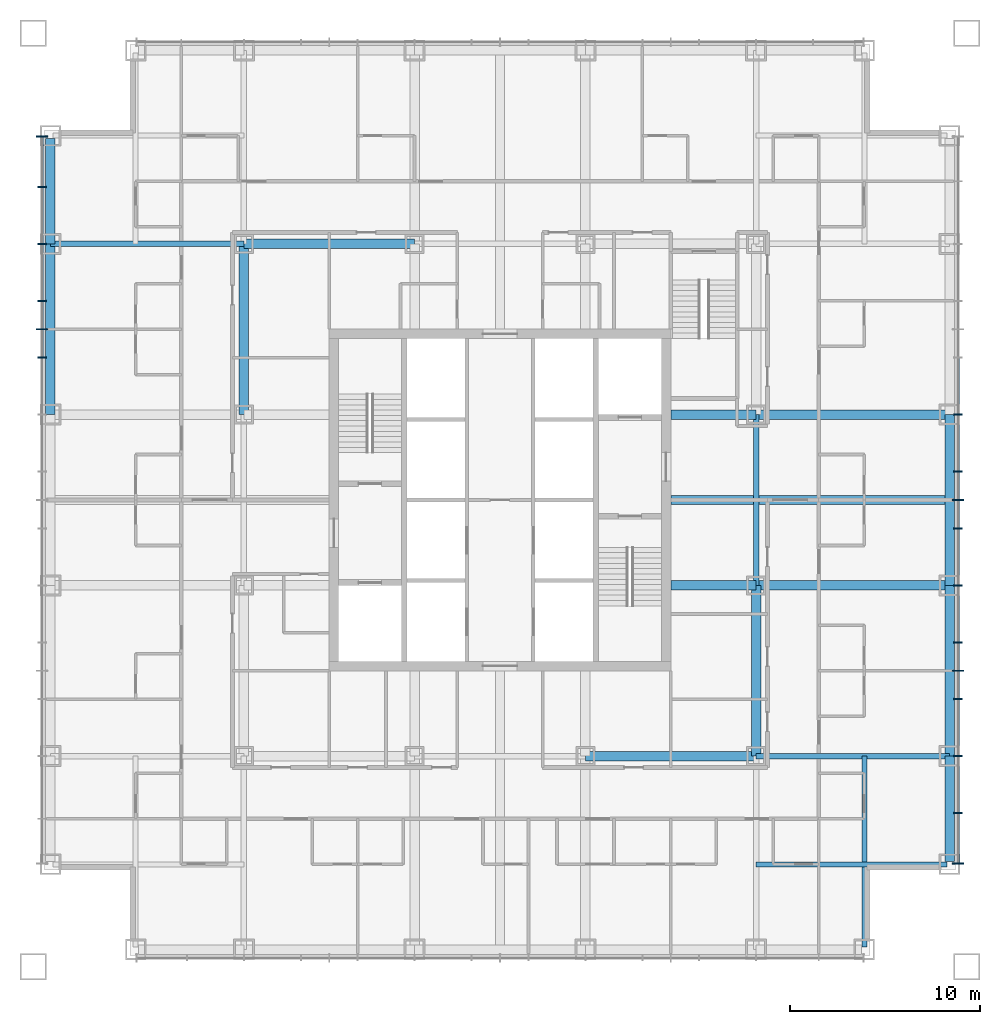
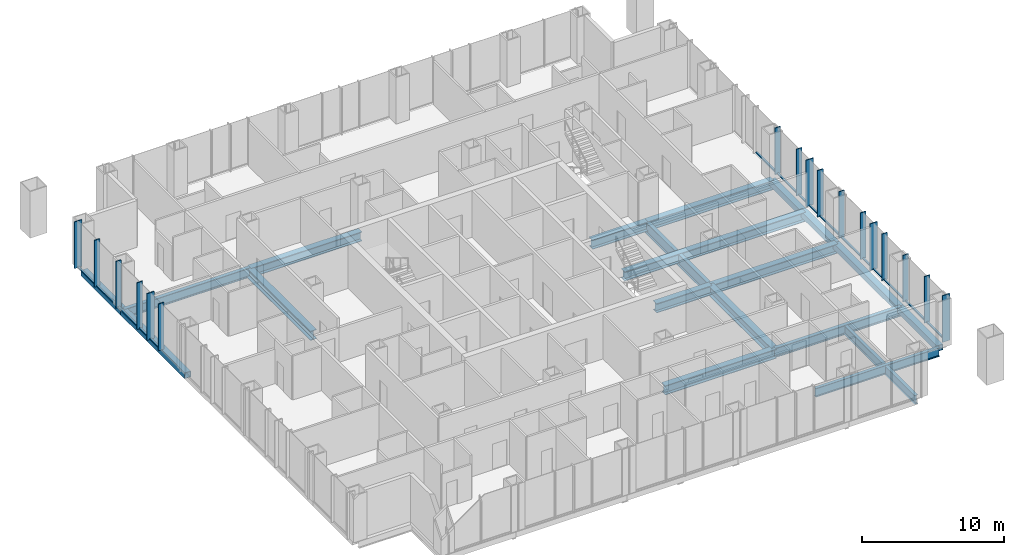
# One storey, part 4 of 12: 33 members, 19 beams, 2 elements without a shape of their own.
"""IFC4 building model written with IfcOpenShell, lengths in metres."""

from ifc_helpers import new_model, si_unit, direction, frame, origin, origin_2d, place, context, subcontext, project, spatial, rectangle, hollow_rectangle, i_section, extrude, material, layer, layer_set, material_profile, profile_set, type_object, element, aggregate, save


model = new_model("IFC4")

# Units and contexts
model_context = context("Model", 3, precision=1e-05, world=origin(), true_north=direction((0.0, 1.0)))
body_context = subcontext(model_context, "Body", "Model", "MODEL_VIEW")
ifc_project = project(units=[si_unit("LENGTHUNIT", "METRE"), si_unit("AREAUNIT", "SQUARE_METRE"), si_unit("VOLUMEUNIT", "CUBIC_METRE"), si_unit("PLANEANGLEUNIT", "RADIAN"), si_unit("MASSUNIT", "GRAM", prefix="KILO")], contexts=[model_context])

# Site, building, storey
site_placement = place(None, origin())
site = spatial("IfcSite", under=ifc_project, at=site_placement, CompositionType="ELEMENT")
building_placement = place(site_placement, origin())
building = spatial("IfcBuilding", under=site, at=building_placement, Name="Malebo Sky Hospital", CompositionType="ELEMENT")
storey_placement = place(building_placement, frame((0.0, 0.0, 136.0)))
storey = spatial("IfcBuildingStorey", under=building, at=storey_placement, Name="L32", CompositionType="ELEMENT", Elevation=136.0)

# Curtain wall, members
ifc_material_1 = material(Name="Anodised aluminium, natural silver", Category="aluminium")
ifc_layer = layer(ifc_material_1, 0.25)
ifc_layer_set = layer_set([ifc_layer], Name="WARD CURTAIN WALL EAST AND WEST")
curtain_wall_type = type_object("IfcCurtainWallType", Name="WARD CURTAIN WALL EAST AND WEST", PredefinedType="NOTDEFINED", material=ifc_layer_set)
curtain_wall_1_placement = place(storey_placement, origin())
curtain_wall_1 = element("IfcCurtainWall", 1, at=curtain_wall_1_placement, inside=storey, type_object=curtain_wall_type, Name="EW curtain wall W", PredefinedType="NOTDEFINED")
ifc_material_profile_1 = material_profile(ifc_material_1, rectangle(XDim=0.14990234375, YDim=0.10009765625, at=origin_2d()), Name="ALUMINIUM TRANSOM 150x100")
ifc_profile_set_1 = profile_set([ifc_material_profile_1], Name="Anodised aluminium, natural silver")
member_type_1 = type_object("IfcMemberType", Name="ALUMINIUM TRANSOM 150x100", PredefinedType="USERDEFINED", material=ifc_profile_set_1)
member_1_placement = place(storey_placement, frame((35.864990234375, 69.53759765625, 0.050048828125), z_axis=(0.0, 1.0, 0.0), x_axis=(-1.0, 0.0, 0.0)))
member_1 = element("IfcMember", 2, at=member_1_placement, type_object=member_type_1, Name="Transom 12", ObjectType="TRANSOM", PredefinedType="USERDEFINED", context=body_context, shape_type="SweptSolid", body=[
    extrude(rectangle(XDim=0.14990234375, YDim=0.10009765625, at=origin_2d()), origin(), (0.0, 0.0, 1.0), 1.4248046875),
])
member_2_placement = place(storey_placement, frame((35.864990234375, 71.03759765625, 0.050048828125), z_axis=(0.0, 1.0, 0.0), x_axis=(-1.0, 0.0, 0.0)))
member_2 = element("IfcMember", 3, at=member_2_placement, type_object=member_type_1, Name="Transom 13", ObjectType="TRANSOM", PredefinedType="USERDEFINED", context=body_context, shape_type="SweptSolid", body=[
    extrude(rectangle(XDim=0.14990234375, YDim=0.10009765625, at=origin_2d()), origin(), (0.0, 0.0, 1.0), 1.4248046875),
])
member_3_placement = place(storey_placement, frame((35.864990234375, 72.53759765625, 0.050048828125), z_axis=(0.0, 1.0, 0.0), x_axis=(-1.0, 0.0, 0.0)))
member_3 = element("IfcMember", 4, at=member_3_placement, type_object=member_type_1, Name="Transom 14", ObjectType="TRANSOM", PredefinedType="USERDEFINED", context=body_context, shape_type="SweptSolid", body=[
    extrude(rectangle(XDim=0.14990234375, YDim=0.10009765625, at=origin_2d()), origin(), (0.0, 0.0, 1.0), 2.9248046875),
])
member_4_placement = place(storey_placement, frame((35.864990234375, 75.53759765625, 0.050048828125), z_axis=(0.0, 1.0, 0.0), x_axis=(-1.0, 0.0, 0.0)))
member_4 = element("IfcMember", 5, at=member_4_placement, type_object=member_type_1, Name="Transom 15", ObjectType="TRANSOM", PredefinedType="USERDEFINED", context=body_context, shape_type="SweptSolid", body=[
    extrude(rectangle(XDim=0.14990234375, YDim=0.10009765625, at=origin_2d()), origin(), (0.0, 0.0, 1.0), 2.9248046875),
])
member_5_placement = place(storey_placement, frame((35.864990234375, 78.53759765625, 0.050048828125), z_axis=(0.0, 1.0, 0.0), x_axis=(-1.0, 0.0, 0.0)))
member_5 = element("IfcMember", 6, at=member_5_placement, type_object=member_type_1, Name="Transom 16", ObjectType="TRANSOM", PredefinedType="USERDEFINED", context=body_context, shape_type="SweptSolid", body=[
    extrude(rectangle(XDim=0.14990234375, YDim=0.10009765625, at=origin_2d()), origin(), (0.0, 0.0, 1.0), 2.58740234375),
])

curtain_wall_2_placement = place(storey_placement, origin())
curtain_wall_2 = element("IfcCurtainWall", 7, at=curtain_wall_2_placement, inside=storey, type_object=curtain_wall_type, Name="EW curtain wall E", PredefinedType="NOTDEFINED")
member_6_placement = place(storey_placement, frame((84.135009765625, 69.46240234375, 0.050048828125), z_axis=(0.0, -1.0, 0.0), x_axis=(1.0, 0.0, 0.0)))
member_6 = element("IfcMember", 8, at=member_6_placement, type_object=member_type_1, Name="Transom 6", ObjectType="TRANSOM", PredefinedType="USERDEFINED", context=body_context, shape_type="SweptSolid", body=[
    extrude(rectangle(XDim=0.14990234375, YDim=0.10009765625, at=origin_2d()), origin(), (0.0, 0.0, 1.0), 2.9248046875),
])
member_7_placement = place(storey_placement, frame((84.135009765625, 66.46240234375, 0.050048828125), z_axis=(0.0, -1.0, 0.0), x_axis=(1.0, 0.0, 0.0)))
member_7 = element("IfcMember", 9, at=member_7_placement, type_object=member_type_1, Name="Transom 7", ObjectType="TRANSOM", PredefinedType="USERDEFINED", context=body_context, shape_type="SweptSolid", body=[
    extrude(rectangle(XDim=0.14990234375, YDim=0.10009765625, at=origin_2d()), origin(), (0.0, 0.0, 1.0), 2.9248046875),
])
member_8_placement = place(storey_placement, frame((84.135009765625, 63.46240234375, 0.050048828125), z_axis=(0.0, -1.0, 0.0), x_axis=(1.0, 0.0, 0.0)))
member_8 = element("IfcMember", 10, at=member_8_placement, type_object=member_type_1, Name="Transom 8", ObjectType="TRANSOM", PredefinedType="USERDEFINED", context=body_context, shape_type="SweptSolid", body=[
    extrude(rectangle(XDim=0.14990234375, YDim=0.10009765625, at=origin_2d()), origin(), (0.0, 0.0, 1.0), 1.4248046875),
])
member_9_placement = place(storey_placement, frame((84.135009765625, 61.96240234375, 0.050048828125), z_axis=(0.0, -1.0, 0.0), x_axis=(1.0, 0.0, 0.0)))
member_9 = element("IfcMember", 11, at=member_9_placement, type_object=member_type_1, Name="Transom 9", ObjectType="TRANSOM", PredefinedType="USERDEFINED", context=body_context, shape_type="SweptSolid", body=[
    extrude(rectangle(XDim=0.14990234375, YDim=0.10009765625, at=origin_2d()), origin(), (0.0, 0.0, 1.0), 1.4248046875),
])
member_10_placement = place(storey_placement, frame((84.135009765625, 60.46240234375, 0.050048828125), z_axis=(0.0, -1.0, 0.0), x_axis=(1.0, 0.0, 0.0)))
member_10 = element("IfcMember", 12, at=member_10_placement, type_object=member_type_1, Name="Transom 10", ObjectType="TRANSOM", PredefinedType="USERDEFINED", context=body_context, shape_type="SweptSolid", body=[
    extrude(rectangle(XDim=0.14990234375, YDim=0.10009765625, at=origin_2d()), origin(), (0.0, 0.0, 1.0), 2.9248046875),
])
member_11_placement = place(storey_placement, frame((84.135009765625, 57.46240234375, 0.050048828125), z_axis=(0.0, -1.0, 0.0), x_axis=(1.0, 0.0, 0.0)))
member_11 = element("IfcMember", 13, at=member_11_placement, type_object=member_type_1, Name="Transom 11", ObjectType="TRANSOM", PredefinedType="USERDEFINED", context=body_context, shape_type="SweptSolid", body=[
    extrude(rectangle(XDim=0.14990234375, YDim=0.10009765625, at=origin_2d()), origin(), (0.0, 0.0, 1.0), 2.9248046875),
])
member_12_placement = place(storey_placement, frame((84.135009765625, 54.46240234375, 0.050048828125), z_axis=(0.0, -1.0, 0.0), x_axis=(1.0, 0.0, 0.0)))
member_12 = element("IfcMember", 14, at=member_12_placement, type_object=member_type_1, Name="Transom 12", ObjectType="TRANSOM", PredefinedType="USERDEFINED", context=body_context, shape_type="SweptSolid", body=[
    extrude(rectangle(XDim=0.14990234375, YDim=0.10009765625, at=origin_2d()), origin(), (0.0, 0.0, 1.0), 1.4248046875),
])
member_13_placement = place(storey_placement, frame((84.135009765625, 52.96240234375, 0.050048828125), z_axis=(0.0, -1.0, 0.0), x_axis=(1.0, 0.0, 0.0)))
member_13 = element("IfcMember", 15, at=member_13_placement, type_object=member_type_1, Name="Transom 13", ObjectType="TRANSOM", PredefinedType="USERDEFINED", context=body_context, shape_type="SweptSolid", body=[
    extrude(rectangle(XDim=0.14990234375, YDim=0.10009765625, at=origin_2d()), origin(), (0.0, 0.0, 1.0), 1.4248046875),
])
member_14_placement = place(storey_placement, frame((84.135009765625, 51.46240234375, 0.050048828125), z_axis=(0.0, -1.0, 0.0), x_axis=(1.0, 0.0, 0.0)))
member_14 = element("IfcMember", 16, at=member_14_placement, type_object=member_type_1, Name="Transom 14", ObjectType="TRANSOM", PredefinedType="USERDEFINED", context=body_context, shape_type="SweptSolid", body=[
    extrude(rectangle(XDim=0.14990234375, YDim=0.10009765625, at=origin_2d()), origin(), (0.0, 0.0, 1.0), 2.9248046875),
])
member_15_placement = place(storey_placement, frame((84.135009765625, 48.46240234375, 0.050048828125), z_axis=(0.0, -1.0, 0.0), x_axis=(1.0, 0.0, 0.0)))
member_15 = element("IfcMember", 17, at=member_15_placement, type_object=member_type_1, Name="Transom 15", ObjectType="TRANSOM", PredefinedType="USERDEFINED", context=body_context, shape_type="SweptSolid", body=[
    extrude(rectangle(XDim=0.14990234375, YDim=0.10009765625, at=origin_2d()), origin(), (0.0, 0.0, 1.0), 2.9248046875),
])
member_16_placement = place(storey_placement, frame((84.135009765625, 45.46240234375, 0.050048828125), z_axis=(0.0, -1.0, 0.0), x_axis=(1.0, 0.0, 0.0)))
member_16 = element("IfcMember", 18, at=member_16_placement, type_object=member_type_1, Name="Transom 16", ObjectType="TRANSOM", PredefinedType="USERDEFINED", context=body_context, shape_type="SweptSolid", body=[
    extrude(rectangle(XDim=0.14990234375, YDim=0.10009765625, at=origin_2d()), origin(), (0.0, 0.0, 1.0), 2.58740234375),
])

# Member
ifc_material_profile_2 = material_profile(ifc_material_1, rectangle(XDim=0.074951171875, YDim=0.449951171875, at=origin_2d()), Name="CW2 ALUMINIUM FIN MULLION 75x450")
ifc_profile_set_2 = profile_set([ifc_material_profile_2], Name="Anodised aluminium, natural silver")
member_type_2 = type_object("IfcMemberType", Name="CW2 ALUMINIUM FIN MULLION 75x450", PredefinedType="MULLION", material=ifc_profile_set_2)
member_17_placement = place(storey_placement, frame((35.864990234375, 69.5, 0.0), z_axis=(0.0, 0.0, 1.0), x_axis=(0.0, 1.0, 0.0)))
member_17 = element("IfcMember", 19, at=member_17_placement, type_object=member_type_2, Name="Fin mullion 12", PredefinedType="MULLION", context=body_context, shape_type="SweptSolid", body=[
    extrude(rectangle(XDim=0.074951171875, YDim=0.449951171875, at=origin_2d()), origin(), (0.0, 0.0, 1.0), 4.0),
])

member_18_placement = place(storey_placement, frame((35.864990234375, 72.5, 0.0), z_axis=(0.0, 0.0, 1.0), x_axis=(0.0, 1.0, 0.0)))
member_18 = element("IfcMember", 20, at=member_18_placement, type_object=member_type_2, Name="Fin mullion 14", PredefinedType="MULLION", context=body_context, shape_type="SweptSolid", body=[
    extrude(rectangle(XDim=0.074951171875, YDim=0.449951171875, at=origin_2d()), origin(), (0.0, 0.0, 1.0), 4.0),
])

member_19_placement = place(storey_placement, frame((35.864990234375, 75.5, 0.0), z_axis=(0.0, 0.0, 1.0), x_axis=(0.0, 1.0, 0.0)))
member_19 = element("IfcMember", 21, at=member_19_placement, type_object=member_type_2, Name="Fin mullion 15", PredefinedType="MULLION", context=body_context, shape_type="SweptSolid", body=[
    extrude(rectangle(XDim=0.074951171875, YDim=0.449951171875, at=origin_2d()), origin(), (0.0, 0.0, 1.0), 4.0),
])

member_20_placement = place(storey_placement, frame((35.864990234375, 78.5, 0.0), z_axis=(0.0, 0.0, 1.0), x_axis=(0.0, 1.0, 0.0)))
member_20 = element("IfcMember", 22, at=member_20_placement, type_object=member_type_2, Name="Fin mullion 16", PredefinedType="MULLION", context=body_context, shape_type="SweptSolid", body=[
    extrude(rectangle(XDim=0.074951171875, YDim=0.449951171875, at=origin_2d()), origin(), (0.0, 0.0, 1.0), 4.0),
])

member_21_placement = place(storey_placement, frame((84.135009765625, 66.5, 0.0), z_axis=(0.0, 0.0, 1.0), x_axis=(0.0, -1.0, 0.0)))
member_21 = element("IfcMember", 23, at=member_21_placement, type_object=member_type_2, Name="Fin mullion 7", PredefinedType="MULLION", context=body_context, shape_type="SweptSolid", body=[
    extrude(rectangle(XDim=0.074951171875, YDim=0.449951171875, at=origin_2d()), origin(), (0.0, 0.0, 1.0), 4.0),
])

member_22_placement = place(storey_placement, frame((84.135009765625, 63.5, 0.0), z_axis=(0.0, 0.0, 1.0), x_axis=(0.0, -1.0, 0.0)))
member_22 = element("IfcMember", 24, at=member_22_placement, type_object=member_type_2, Name="Fin mullion 8", PredefinedType="MULLION", context=body_context, shape_type="SweptSolid", body=[
    extrude(rectangle(XDim=0.074951171875, YDim=0.449951171875, at=origin_2d()), origin(), (0.0, 0.0, 1.0), 4.0),
])

member_23_placement = place(storey_placement, frame((84.135009765625, 60.5, 0.0), z_axis=(0.0, 0.0, 1.0), x_axis=(0.0, -1.0, 0.0)))
member_23 = element("IfcMember", 25, at=member_23_placement, type_object=member_type_2, Name="Fin mullion 10", PredefinedType="MULLION", context=body_context, shape_type="SweptSolid", body=[
    extrude(rectangle(XDim=0.074951171875, YDim=0.449951171875, at=origin_2d()), origin(), (0.0, 0.0, 1.0), 4.0),
])

member_24_placement = place(storey_placement, frame((84.135009765625, 57.5, 0.0), z_axis=(0.0, 0.0, 1.0), x_axis=(0.0, -1.0, 0.0)))
member_24 = element("IfcMember", 26, at=member_24_placement, type_object=member_type_2, Name="Fin mullion 11", PredefinedType="MULLION", context=body_context, shape_type="SweptSolid", body=[
    extrude(rectangle(XDim=0.074951171875, YDim=0.449951171875, at=origin_2d()), origin(), (0.0, 0.0, 1.0), 4.0),
])

member_25_placement = place(storey_placement, frame((84.135009765625, 54.5, 0.0), z_axis=(0.0, 0.0, 1.0), x_axis=(0.0, -1.0, 0.0)))
member_25 = element("IfcMember", 27, at=member_25_placement, type_object=member_type_2, Name="Fin mullion 12", PredefinedType="MULLION", context=body_context, shape_type="SweptSolid", body=[
    extrude(rectangle(XDim=0.074951171875, YDim=0.449951171875, at=origin_2d()), origin(), (0.0, 0.0, 1.0), 4.0),
])

member_26_placement = place(storey_placement, frame((84.135009765625, 51.5, 0.0), z_axis=(0.0, 0.0, 1.0), x_axis=(0.0, -1.0, 0.0)))
member_26 = element("IfcMember", 28, at=member_26_placement, type_object=member_type_2, Name="Fin mullion 14", PredefinedType="MULLION", context=body_context, shape_type="SweptSolid", body=[
    extrude(rectangle(XDim=0.074951171875, YDim=0.449951171875, at=origin_2d()), origin(), (0.0, 0.0, 1.0), 4.0),
])

member_27_placement = place(storey_placement, frame((84.135009765625, 48.5, 0.0), z_axis=(0.0, 0.0, 1.0), x_axis=(0.0, -1.0, 0.0)))
member_27 = element("IfcMember", 29, at=member_27_placement, type_object=member_type_2, Name="Fin mullion 15", PredefinedType="MULLION", context=body_context, shape_type="SweptSolid", body=[
    extrude(rectangle(XDim=0.074951171875, YDim=0.449951171875, at=origin_2d()), origin(), (0.0, 0.0, 1.0), 4.0),
])

member_28_placement = place(storey_placement, frame((84.135009765625, 45.5, 0.0), z_axis=(0.0, 0.0, 1.0), x_axis=(0.0, -1.0, 0.0)))
member_28 = element("IfcMember", 30, at=member_28_placement, type_object=member_type_2, Name="Fin mullion 16", PredefinedType="MULLION", context=body_context, shape_type="SweptSolid", body=[
    extrude(rectangle(XDim=0.074951171875, YDim=0.449951171875, at=origin_2d()), origin(), (0.0, 0.0, 1.0), 4.0),
])

ifc_material_profile_3 = material_profile(ifc_material_1, rectangle(XDim=0.074951171875, YDim=0.60009765625, at=origin_2d()), Name="CW2 ALUMINIUM FIN MULLION 75x600")
ifc_profile_set_3 = profile_set([ifc_material_profile_3], Name="Anodised aluminium, natural silver")
member_type_3 = type_object("IfcMemberType", Name="CW2 ALUMINIUM FIN MULLION 75x600", PredefinedType="MULLION", material=ifc_profile_set_3)
member_29_placement = place(storey_placement, frame((35.864990234375, 71.0, 0.0), z_axis=(0.0, 0.0, 1.0), x_axis=(0.0, 1.0, 0.0)))
member_29 = element("IfcMember", 31, at=member_29_placement, type_object=member_type_3, Name="Fin mullion 13", PredefinedType="MULLION", context=body_context, shape_type="SweptSolid", body=[
    extrude(rectangle(XDim=0.074951171875, YDim=0.60009765625, at=origin_2d()), origin(), (0.0, 0.0, 1.0), 4.0),
])

member_30_placement = place(storey_placement, frame((35.864990234375, 81.16259765625, 0.0), z_axis=(0.0, 0.0, 1.0), x_axis=(0.0, 1.0, 0.0)))
member_30 = element("IfcMember", 32, at=member_30_placement, type_object=member_type_3, Name="Fin mullion 17", PredefinedType="MULLION", context=body_context, shape_type="SweptSolid", body=[
    extrude(rectangle(XDim=0.074951171875, YDim=0.60009765625, at=origin_2d()), origin(), (0.0, 0.0, 1.0), 4.0),
])

aggregate(curtain_wall_1, [member_17, member_29, member_18, member_19, member_20, member_30, member_1, member_2, member_3, member_4, member_5])

member_31_placement = place(storey_placement, frame((84.135009765625, 62.0, 0.0), z_axis=(0.0, 0.0, 1.0), x_axis=(0.0, -1.0, 0.0)))
member_31 = element("IfcMember", 33, at=member_31_placement, type_object=member_type_3, Name="Fin mullion 9", PredefinedType="MULLION", context=body_context, shape_type="SweptSolid", body=[
    extrude(rectangle(XDim=0.074951171875, YDim=0.60009765625, at=origin_2d()), origin(), (0.0, 0.0, 1.0), 4.0),
])

member_32_placement = place(storey_placement, frame((84.135009765625, 53.0, 0.0), z_axis=(0.0, 0.0, 1.0), x_axis=(0.0, -1.0, 0.0)))
member_32 = element("IfcMember", 34, at=member_32_placement, type_object=member_type_3, Name="Fin mullion 13", PredefinedType="MULLION", context=body_context, shape_type="SweptSolid", body=[
    extrude(rectangle(XDim=0.074951171875, YDim=0.60009765625, at=origin_2d()), origin(), (0.0, 0.0, 1.0), 4.0),
])

member_33_placement = place(storey_placement, frame((84.135009765625, 42.83740234375, 0.0), z_axis=(0.0, 0.0, 1.0), x_axis=(0.0, -1.0, 0.0)))
member_33 = element("IfcMember", 35, at=member_33_placement, type_object=member_type_3, Name="Fin mullion 17", PredefinedType="MULLION", context=body_context, shape_type="SweptSolid", body=[
    extrude(rectangle(XDim=0.074951171875, YDim=0.60009765625, at=origin_2d()), origin(), (0.0, 0.0, 1.0), 4.0),
])

aggregate(curtain_wall_2, [member_21, member_22, member_31, member_23, member_24, member_25, member_32, member_26, member_27, member_28, member_33, member_6, member_7, member_8, member_9, member_10, member_11, member_12, member_13, member_14, member_15, member_16])

# Beams
ifc_material_2 = material(Name="Steel S460", Category="steel")
ifc_material_profile_4 = material_profile(ifc_material_2, hollow_rectangle(XDim=0.5, YDim=0.5, WallThickness=0.030029296875, at=origin_2d()), Name="BOX 500x500x30")
ifc_profile_set_4 = profile_set([ifc_material_profile_4], Name="Steel S460")
beam_type_1 = type_object("IfcBeamType", Name="EDGE BEAM BOX 500x500x30", PredefinedType="BEAM", material=ifc_profile_set_4)
beam_1_placement = place(storey_placement, frame((36.300048828125, 66.5, -0.5), z_axis=(0.0, 1.0, 0.0), x_axis=(-1.0, 0.0, 0.0)))
element("IfcBeam", 36, at=beam_1_placement, inside=storey, type_object=beam_type_1, Name="Beam 003 L32", PredefinedType="BEAM", context=body_context, shape_type="SweptSolid", body=[
    extrude(hollow_rectangle(XDim=0.5, YDim=0.5, WallThickness=0.030029296875, at=origin_2d()), origin(), (0.0, 0.0, 1.0), 9.0),
])
for number, where, z_axis, x_axis, name in (
    (37, (36.300048828125, 75.5, -0.5), (0.0, 1.0, 0.0), (-1.0, 0.0, 0.0), "Beam 004 L32"),
    (38, (83.699951171875, 42.949951171875, -0.5), (0.0, 1.0, 0.0), (-1.0, 0.0, 0.0), "Beam 029 L32"),
):
    element("IfcBeam", number, at=place(storey_placement, frame(where, z_axis=z_axis, x_axis=x_axis)), inside=storey, type_object=beam_type_1, Name=name, PredefinedType="BEAM", context=body_context, shape_type="SweptSolid", body=[
        extrude(hollow_rectangle(XDim=0.5, YDim=0.5, WallThickness=0.030029296875, at=origin_2d()), origin(), (0.0, 0.0, 1.0), 5.550048828125),
    ])
for number, where, z_axis, x_axis, name in (
    (39, (83.699951171875, 48.5, -0.5), (0.0, 1.0, 0.0), (-1.0, 0.0, 0.0), "Beam 030 L32"),
    (40, (83.699951171875, 57.5, -0.5), (0.0, 1.0, 0.0), (-1.0, 0.0, 0.0), "Beam 031 L32"),
):
    element("IfcBeam", number, at=place(storey_placement, frame(where, z_axis=z_axis, x_axis=x_axis)), inside=storey, type_object=beam_type_1, Name=name, PredefinedType="BEAM", context=body_context, shape_type="SweptSolid", body=[
        extrude(hollow_rectangle(XDim=0.5, YDim=0.5, WallThickness=0.030029296875, at=origin_2d()), origin(), (0.0, 0.0, 1.0), 9.0),
    ])
ifc_material_3 = material(Name="Steel S355", Category="steel")
ifc_material_profile_5 = material_profile(ifc_material_3, i_section(OverallWidth=0.262939453125, OverallDepth=0.7529296875, WebThickness=0.011474609375, FlangeThickness=0.01708984375, FilletRadius=0.01708984375, at=origin_2d()), Name="IPE 750x137")
ifc_profile_set_5 = profile_set([ifc_material_profile_5], Name="Steel S355")
beam_type_2 = type_object("IfcBeamType", Name="FLOOR BEAM IPE 750x137", PredefinedType="BEAM", material=ifc_profile_set_5)
for number, where, z_axis, x_axis, name in (
    (41, (79.199951171875, 38.449951171875, -0.62646484375), (0.0, 1.0, 0.0), (-1.0, 0.0, 0.0), "Beam 027 L32"),
    (42, (73.5, 42.800048828125, -0.62646484375), (1.0, 0.0, 0.0), (0.0, 1.0, 0.0), "Beam 040 L32"),
):
    element("IfcBeam", number, at=place(storey_placement, frame(where, z_axis=z_axis, x_axis=x_axis)), inside=storey, type_object=beam_type_2, Name=name, PredefinedType="BEAM", context=body_context, shape_type="SweptSolid", body=[
        extrude(i_section(OverallWidth=0.262939453125, OverallDepth=0.7529296875, WebThickness=0.011474609375, FlangeThickness=0.01708984375, FilletRadius=0.01708984375, at=origin_2d()), origin(), (0.0, 0.0, 1.0), 10.050048828125),
    ])
ifc_material_profile_6 = material_profile(ifc_material_3, i_section(OverallWidth=0.5, OverallDepth=0.800048828125, WebThickness=0.030029296875, FlangeThickness=0.050048828125, at=origin_2d()), Name="PG 800x500x30x50")
ifc_profile_set_6 = profile_set([ifc_material_profile_6], Name="Steel S355")
beam_type_3 = type_object("IfcBeamType", Name="FLOOR BEAM PG 800x500x30x50", PredefinedType="BEAM", material=ifc_profile_set_6)
for number, where, z_axis, x_axis, name in (
    (43, (46.5, 66.5, -0.64990234375), (0.0, 1.0, 0.0), (-1.0, 0.0, 0.0), "Beam 010 L32"),
    (44, (73.5, 48.5, -0.64990234375), (0.0, 1.0, 0.0), (-1.0, 0.0, 0.0), "Beam 023 L32"),
    (45, (64.5, 48.5, -0.64990234375), (1.0, 0.0, 0.0), (0.0, 1.0, 0.0), "Beam 044 L32"),
):
    element("IfcBeam", number, at=place(storey_placement, frame(where, z_axis=z_axis, x_axis=x_axis)), inside=storey, type_object=beam_type_3, Name=name, PredefinedType="BEAM", context=body_context, shape_type="SweptSolid", body=[
        extrude(i_section(OverallWidth=0.5, OverallDepth=0.800048828125, WebThickness=0.030029296875, FlangeThickness=0.050048828125, at=origin_2d()), origin(), (0.0, 0.0, 1.0), 9.0),
    ])
beam_2_placement = place(storey_placement, frame((69.0, 57.5, -0.64990234375), z_axis=(1.0, 0.0, 0.0), x_axis=(0.0, 1.0, 0.0)))
element("IfcBeam", 46, at=beam_2_placement, inside=storey, type_object=beam_type_3, Name="Beam 048 L32", PredefinedType="BEAM", context=body_context, shape_type="SweptSolid", body=[
    extrude(i_section(OverallWidth=0.5, OverallDepth=0.800048828125, WebThickness=0.030029296875, FlangeThickness=0.050048828125, at=origin_2d()), origin(), (0.0, 0.0, 1.0), 4.5),
])
beam_3_placement = place(storey_placement, frame((73.5, 57.5, -0.64990234375), z_axis=(1.0, 0.0, 0.0), x_axis=(0.0, 1.0, 0.0)))
element("IfcBeam", 47, at=beam_3_placement, inside=storey, type_object=beam_type_3, Name="Beam 049 L32", PredefinedType="BEAM", context=body_context, shape_type="SweptSolid", body=[
    extrude(i_section(OverallWidth=0.5, OverallDepth=0.800048828125, WebThickness=0.030029296875, FlangeThickness=0.050048828125, at=origin_2d()), origin(), (0.0, 0.0, 1.0), 10.199951171875),
])
beam_4_placement = place(storey_placement, frame((69.0, 62.0, -0.64990234375), z_axis=(1.0, 0.0, 0.0), x_axis=(0.0, 1.0, 0.0)))
element("IfcBeam", 48, at=beam_4_placement, inside=storey, type_object=beam_type_3, Name="Beam 051 L32", PredefinedType="BEAM", context=body_context, shape_type="SweptSolid", body=[
    extrude(i_section(OverallWidth=0.5, OverallDepth=0.800048828125, WebThickness=0.030029296875, FlangeThickness=0.050048828125, at=origin_2d()), origin(), (0.0, 0.0, 1.0), 14.699951171875),
])
beam_5_placement = place(storey_placement, frame((69.0, 66.5, -0.64990234375), z_axis=(1.0, 0.0, 0.0), x_axis=(0.0, 1.0, 0.0)))
element("IfcBeam", 49, at=beam_5_placement, inside=storey, type_object=beam_type_3, Name="Beam 054 L32", PredefinedType="BEAM", context=body_context, shape_type="SweptSolid", body=[
    extrude(i_section(OverallWidth=0.5, OverallDepth=0.800048828125, WebThickness=0.030029296875, FlangeThickness=0.050048828125, at=origin_2d()), origin(), (0.0, 0.0, 1.0), 4.5),
])
beam_6_placement = place(storey_placement, frame((73.5, 66.5, -0.64990234375), z_axis=(1.0, 0.0, 0.0), x_axis=(0.0, 1.0, 0.0)))
element("IfcBeam", 50, at=beam_6_placement, inside=storey, type_object=beam_type_3, Name="Beam 055 L32", PredefinedType="BEAM", context=body_context, shape_type="SweptSolid", body=[
    extrude(i_section(OverallWidth=0.5, OverallDepth=0.800048828125, WebThickness=0.030029296875, FlangeThickness=0.050048828125, at=origin_2d()), origin(), (0.0, 0.0, 1.0), 10.199951171875),
])
beam_7_placement = place(storey_placement, frame((46.5, 75.5, -0.64990234375), z_axis=(1.0, 0.0, 0.0), x_axis=(0.0, 1.0, 0.0)))
element("IfcBeam", 51, at=beam_7_placement, inside=storey, type_object=beam_type_3, Name="Beam 057 L32", PredefinedType="BEAM", context=body_context, shape_type="SweptSolid", body=[
    extrude(i_section(OverallWidth=0.5, OverallDepth=0.800048828125, WebThickness=0.030029296875, FlangeThickness=0.050048828125, at=origin_2d()), origin(), (0.0, 0.0, 1.0), 9.0),
])
ifc_material_profile_7 = material_profile(ifc_material_3, i_section(OverallWidth=0.300048828125, OverallDepth=0.800048828125, WebThickness=0.017578125, FlangeThickness=0.032958984375, FilletRadius=0.030029296875, at=origin_2d()), Name="HEB 800")
ifc_profile_set_7 = profile_set([ifc_material_profile_7], Name="Steel S355")
beam_type_4 = type_object("IfcBeamType", Name="FLOOR GIRDER HEB 800", PredefinedType="BEAM", material=ifc_profile_set_7)
for number, where, z_axis, x_axis, name in (
    (52, (73.5, 48.5, -0.64990234375), (1.0, 0.0, 0.0), (0.0, 1.0, 0.0), "Beam 045 L32"),
    (53, (36.300048828125, 75.5, -0.64990234375), (1.0, 0.0, 0.0), (0.0, 1.0, 0.0), "Beam 056 L32"),
):
    element("IfcBeam", number, at=place(storey_placement, frame(where, z_axis=z_axis, x_axis=x_axis)), inside=storey, type_object=beam_type_4, Name=name, PredefinedType="BEAM", context=body_context, shape_type="SweptSolid", body=[
        extrude(i_section(OverallWidth=0.300048828125, OverallDepth=0.800048828125, WebThickness=0.017578125, FlangeThickness=0.032958984375, FilletRadius=0.030029296875, at=origin_2d()), origin(), (0.0, 0.0, 1.0), 10.199951171875),
    ])
ifc_material_profile_8 = material_profile(ifc_material_3, i_section(OverallWidth=0.300048828125, OverallDepth=1.0, WebThickness=0.01904296875, FlangeThickness=0.035888671875, FilletRadius=0.030029296875, at=origin_2d()), Name="HEB 1000")
ifc_profile_set_8 = profile_set([ifc_material_profile_8], Name="Steel S355")
beam_type_5 = type_object("IfcBeamType", Name="RING GIRDER HEB 1000", PredefinedType="BEAM", material=ifc_profile_set_8)
beam_8_placement = place(storey_placement, frame((73.5, 57.5, -0.75), z_axis=(0.0, 1.0, 0.0), x_axis=(-1.0, 0.0, 0.0)))
element("IfcBeam", 54, at=beam_8_placement, inside=storey, type_object=beam_type_5, Name="Beam 024 L32", PredefinedType="BEAM", context=body_context, shape_type="SweptSolid", body=[
    extrude(i_section(OverallWidth=0.300048828125, OverallDepth=1.0, WebThickness=0.01904296875, FlangeThickness=0.035888671875, FilletRadius=0.030029296875, at=origin_2d()), origin(), (0.0, 0.0, 1.0), 9.0),
])

save(model, "model.ifc")
